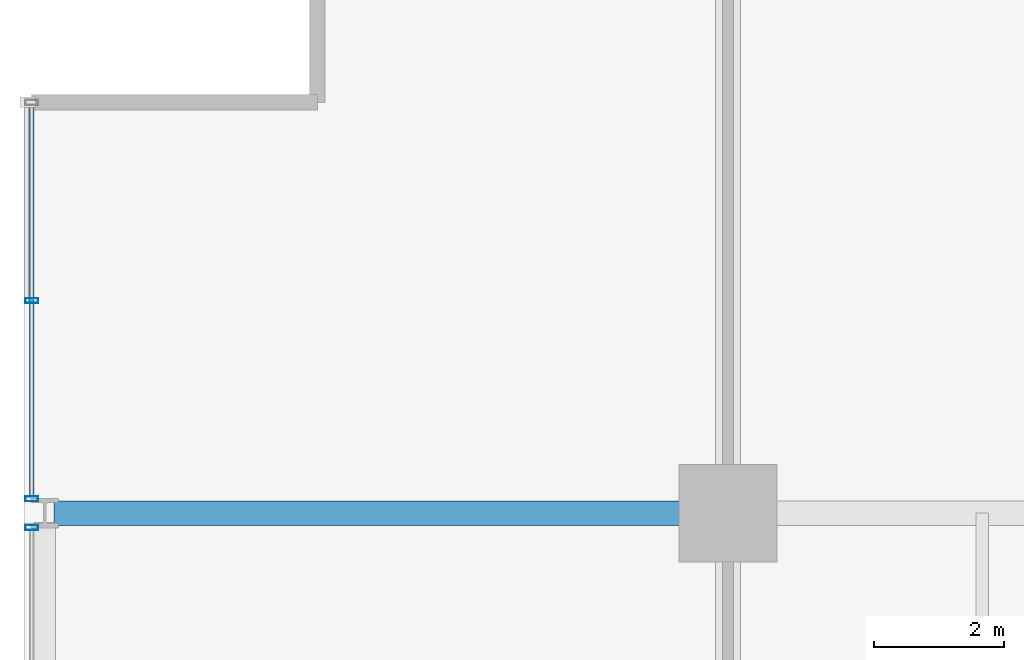
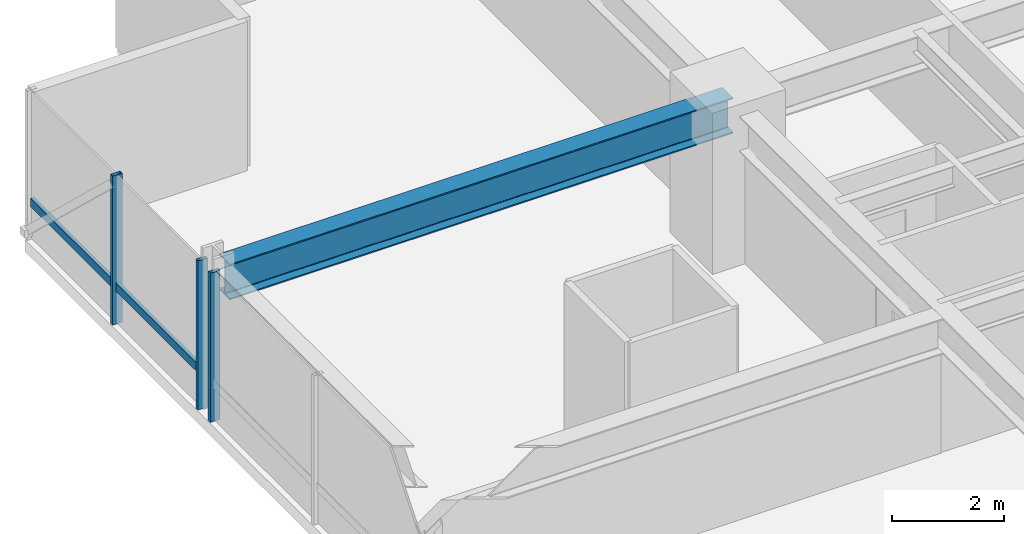
# One storey, part 18 of 34: 4 members, 1 beam, 2 elements without a shape of their own.
"""IFC4 building model written with IfcOpenShell, lengths in metres."""

from ifc_helpers import new_model, si_unit, direction, frame, origin, origin_2d, place, context, subcontext, project, spatial, hollow_rectangle, i_section, extrude, material, layer, layer_set, material_profile, profile_set, type_object, element, aggregate, save


model = new_model("IFC4")

# Units and contexts
model_context = context("Model", 3, precision=1e-05, world=origin(), true_north=direction((0.0, 1.0)))
body_context = subcontext(model_context, "Body", "Model", "MODEL_VIEW")
ifc_project = project(units=[si_unit("LENGTHUNIT", "METRE"), si_unit("AREAUNIT", "SQUARE_METRE"), si_unit("VOLUMEUNIT", "CUBIC_METRE"), si_unit("PLANEANGLEUNIT", "RADIAN"), si_unit("MASSUNIT", "GRAM", prefix="KILO")], contexts=[model_context])

# Site, building, storey
site_placement = place(None, origin())
site = spatial("IfcSite", under=ifc_project, at=site_placement, CompositionType="ELEMENT")
building_placement = place(site_placement, origin())
building = spatial("IfcBuilding", under=site, at=building_placement, Name="Drelvath Grand Hotel", CompositionType="ELEMENT")
storey_placement = place(building_placement, frame((0.0, 0.0, 91.800048828125)))
storey = spatial("IfcBuildingStorey", under=building, at=storey_placement, Name="L22", CompositionType="ELEMENT", Elevation=91.800048828125)

# Curtain wall, member
ifc_material_1 = material(Name="Champagne Bronze Anodised Aluminium Frame", Category="aluminium")
ifc_layer = layer(ifc_material_1, 0.199951171875)
ifc_layer_set = layer_set([ifc_layer], Name="Champagne Bronze Anodised Aluminium Frame")
curtain_wall_type = type_object("IfcCurtainWallType", Name="Stick Curtain Wall CW-03 Champagne Bronze Mid-Rise", PredefinedType="NOTDEFINED", material=ifc_layer_set)
curtain_wall_1_placement = place(storey_placement, origin())
curtain_wall_1 = element("IfcCurtainWall", 1, at=curtain_wall_1_placement, inside=storey, type_object=curtain_wall_type, Name="L22 CW-03 Curtain Wall CW03-L22-WN3", PredefinedType="NOTDEFINED")
ifc_material_profile_1 = material_profile(ifc_material_1, hollow_rectangle(XDim=0.074951171875, YDim=0.179931640625, WallThickness=0.0048828125, at=origin_2d()), Name="HSS180X75X5")
ifc_profile_set_1 = profile_set([ifc_material_profile_1], Name="Champagne Bronze Anodised Aluminium Frame")
member_type_1 = type_object("IfcMemberType", Name="Curtain Wall Horizontal Transom CW-03 HSS180X75X5", PredefinedType="USERDEFINED", material=ifc_profile_set_1)
member_1_placement = place(storey_placement, frame((-26.8798828125, 43.459716796875, 0.81005859375), z_axis=(0.0, 1.0, 0.0), x_axis=(-1.0, 0.0, 0.0)))
member_1 = element("IfcMember", 2, at=member_1_placement, type_object=member_type_1, Name="CW03-L22-WN3 Sill Transom", ObjectType="TRANSOM", PredefinedType="USERDEFINED", context=body_context, shape_type="SweptSolid", body=[
    extrude(hollow_rectangle(XDim=0.074951171875, YDim=0.179931640625, WallThickness=0.0048828125, at=origin_2d()), origin(), (0.0, 0.0, 1.0), 6.000244140625),
])

curtain_wall_2_placement = place(storey_placement, origin())
curtain_wall_2 = element("IfcCurtainWall", 3, at=curtain_wall_2_placement, inside=storey, type_object=curtain_wall_type, Name="L22 CW-03 Curtain Wall CW03-L22-WN2", PredefinedType="NOTDEFINED")
ifc_material_profile_2 = material_profile(ifc_material_1, hollow_rectangle(XDim=0.080078125, YDim=0.199951171875, WallThickness=0.0048828125, at=origin_2d()), Name="HSS200X80X5")
ifc_profile_set_2 = profile_set([ifc_material_profile_2], Name="Champagne Bronze Anodised Aluminium Frame")
member_type_2 = type_object("IfcMemberType", Name="Curtain Wall Vertical Mullion CW-03 HSS200X80X5", PredefinedType="MULLION", material=ifc_profile_set_2)
member_2_placement = place(storey_placement, frame((-26.8798828125, 42.98046875, 0.0), z_axis=(0.0, 0.0, 1.0), x_axis=(0.0, 1.0, 0.0)))
member_2 = element("IfcMember", 4, at=member_2_placement, type_object=member_type_2, Name="CW03-L22-WN2 Mullion 3", PredefinedType="MULLION", context=body_context, shape_type="SweptSolid", body=[
    extrude(hollow_rectangle(XDim=0.080078125, YDim=0.199951171875, WallThickness=0.0048828125, at=origin_2d()), origin(), (0.0, 0.0, 1.0), 3.239990234375),
])
aggregate(curtain_wall_2, [member_2])

# Member
member_3_placement = place(storey_placement, frame((-26.8798828125, 43.419677734375, 0.0), z_axis=(0.0, 0.0, 1.0), x_axis=(0.0, 1.0, 0.0)))
member_3 = element("IfcMember", 5, at=member_3_placement, type_object=member_type_2, Name="CW03-L22-WN3 Mullion 1", PredefinedType="MULLION", context=body_context, shape_type="SweptSolid", body=[
    extrude(hollow_rectangle(XDim=0.080078125, YDim=0.199951171875, WallThickness=0.0048828125, at=origin_2d()), origin(), (0.0, 0.0, 1.0), 3.239990234375),
])

member_4_placement = place(storey_placement, frame((-26.8798828125, 46.459716796875, 0.0), z_axis=(0.0, 0.0, 1.0), x_axis=(0.0, 1.0, 0.0)))
member_4 = element("IfcMember", 6, at=member_4_placement, type_object=member_type_2, Name="CW03-L22-WN3 Mullion 2", PredefinedType="MULLION", context=body_context, shape_type="SweptSolid", body=[
    extrude(hollow_rectangle(XDim=0.080078125, YDim=0.199951171875, WallThickness=0.0048828125, at=origin_2d()), origin(), (0.0, 0.0, 1.0), 3.239990234375),
])

aggregate(curtain_wall_1, [member_3, member_4, member_1])

# Beam
ifc_material_2 = material(Name="Steel ASTM A992 Gr 50", Category="steel")
ifc_material_profile_3 = material_profile(ifc_material_2, i_section(OverallWidth=0.380615234375, OverallDepth=0.773193359375, WebThickness=0.0166015625, FlangeThickness=0.027099609375, FilletRadius=0.02490234375, at=origin_2d()), Name="W30X173")
ifc_profile_set_3 = profile_set([ifc_material_profile_3], Name="Steel ASTM A992 Gr 50")
beam_type = type_object("IfcBeamType", Name="Primary Floor Girder W30X173", PredefinedType="BEAM", material=ifc_profile_set_3)
beam_placement = place(storey_placement, frame((-26.5400390625, 43.199951171875, 2.853271484375), z_axis=(1.0, 0.0, 0.0), x_axis=(0.0, 1.0, 0.0)))
element("IfcBeam", 7, at=beam_placement, inside=storey, type_object=beam_type, Name="L22 West Grid Girder G", PredefinedType="BEAM", context=body_context, shape_type="SweptSolid", body=[
    extrude(i_section(OverallWidth=0.380615234375, OverallDepth=0.773193359375, WebThickness=0.0166015625, FlangeThickness=0.027099609375, FilletRadius=0.02490234375, at=origin_2d()), origin(), (0.0, 0.0, 1.0), 10.340087890625),
])

save(model, "model.ifc")
